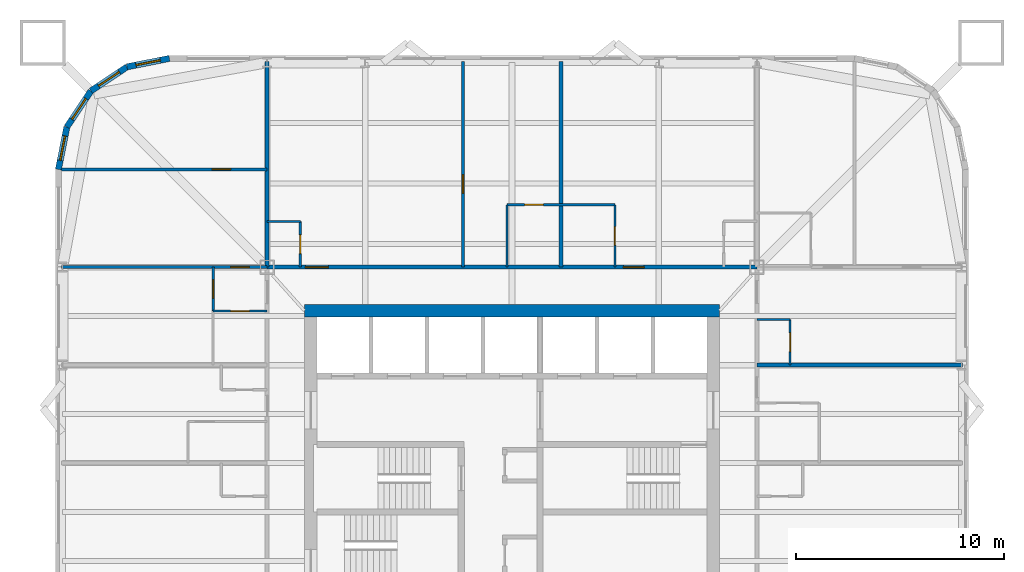
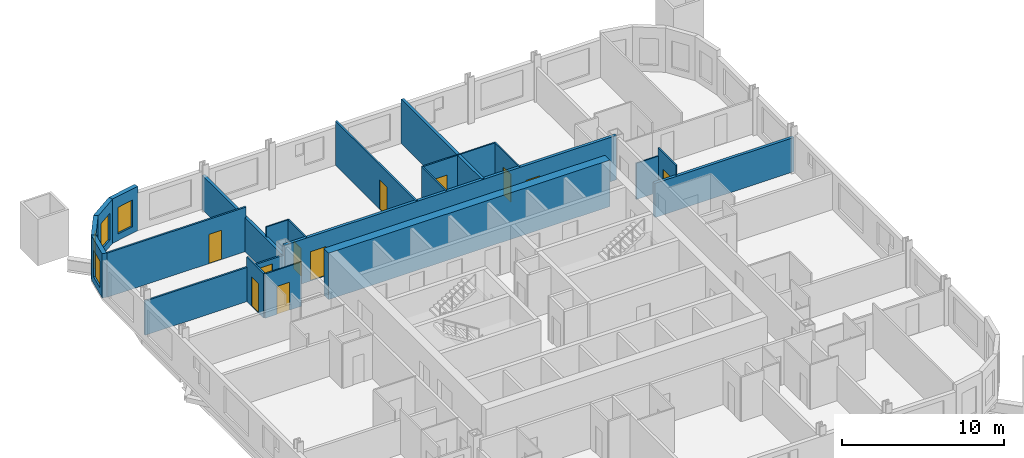
# One storey, part 7 of 10: 21 walls, 11 doors, 4 windows, 15 openings.
"""IFC4 building model written with IfcOpenShell, lengths in metres."""

import ifcopenshell
import ifcopenshell.guid

model = None  # the IFC model being written
_history = None  # IfcOwnerHistory: only IFC2X3 demands one
_inside = {}  # id of a spatial element -> (the spatial element, [elements in it])
_under = {}  # id of a project, library or spatial element -> (it, [spatial elements below it])
_declared = {}  # id of a project -> (the project, [libraries it declares])
_typed = {}  # id of a type object -> (the type object, [elements of that type])
_made_of = {}  # id of a material, layer set ... -> (it, [elements and type objects made of it])


def new_model(schema):
    """Start an empty IFC model of exactly this schema.

    Asked for "IFC4X3", IfcOpenShell would pick the latest addendum, in which some entities
    have other attributes; the version numbers below select the first issue.
    IFC2X3 requires an IfcOwnerHistory on every rooted entity: one is made here for all.
    """
    global model, _history
    if schema == "IFC4X3":
        model = ifcopenshell.file(schema_version=(4, 3, 0, 0))
    else:
        model = ifcopenshell.file(schema=schema)
    _inside.clear()
    _under.clear()
    _declared.clear()
    _typed.clear()
    _made_of.clear()
    _history = None
    if model.schema == "IFC2X3":
        org = make("IfcOrganization", Name="unknown")
        user = make(
            "IfcPersonAndOrganization",
            ThePerson=make("IfcPerson", FamilyName="unknown"),
            TheOrganization=org,
        )
        app = make(
            "IfcApplication",
            ApplicationDeveloper=org,
            Version="unknown",
            ApplicationFullName="unknown",
            ApplicationIdentifier="unknown",
        )
        _history = make(
            "IfcOwnerHistory",
            OwningUser=user,
            OwningApplication=app,
            ChangeAction="ADDED",
            CreationDate=0,
        )
    return model


def make(cls, **values):
    """One entity of the class cls with the attributes given. An attribute that is None is left unset."""
    return model.create_entity(
        cls, **{name: value for name, value in values.items() if value is not None}
    )


def rooted(cls, **values):
    """An entity with a GlobalId (a new one), such as an element, a storey or a relation."""
    return make(cls, GlobalId=ifcopenshell.guid.new(), OwnerHistory=_history, **values)


def si_unit(unit_type, name, prefix=None):
    """IfcSIUnit, for example si_unit("LENGTHUNIT", "METRE", prefix="MILLI")."""
    return make("IfcSIUnit", UnitType=unit_type, Prefix=prefix, Name=name)


def assignment(units):
    """IfcUnitAssignment: the units of a project."""
    return None if units is None else make("IfcUnitAssignment", Units=units)


def point(xyz):
    """IfcCartesianPoint."""
    return None if xyz is None else make("IfcCartesianPoint", Coordinates=xyz)


def direction(xyz):
    """IfcDirection."""
    return None if xyz is None else make("IfcDirection", DirectionRatios=xyz)


def frame(location, z_axis=None, x_axis=None):
    """IfcAxis2Placement3D, a coordinate frame: its origin and axes. An axis left out is left unset."""
    return make(
        "IfcAxis2Placement3D",
        Location=point(location),
        Axis=direction(z_axis),
        RefDirection=direction(x_axis),
    )


def frame_2d(location, x_axis=None):
    """IfcAxis2Placement2D, a coordinate frame in the plane: its origin and x axis."""
    return make(
        "IfcAxis2Placement2D", Location=point(location), RefDirection=direction(x_axis)
    )


def origin():
    """The frame at (0, 0, 0) with its axes left unset."""
    return frame((0.0, 0.0, 0.0))


def place(relative_to, where):
    """IfcLocalPlacement: puts the frame where relative to a parent placement (None: the world)."""
    return make(
        "IfcLocalPlacement", PlacementRelTo=relative_to, RelativePlacement=where
    )


def context(
    kind, dimensions, precision=None, world=None, true_north=None, identifier=None
):
    """IfcGeometricRepresentationContext, for example the 3D "Model" context."""
    return make(
        "IfcGeometricRepresentationContext",
        ContextIdentifier=identifier,
        ContextType=kind,
        CoordinateSpaceDimension=dimensions,
        Precision=precision,
        WorldCoordinateSystem=world,
        TrueNorth=true_north,
    )


def subcontext(parent, identifier, kind, view, scale=None):
    """IfcGeometricRepresentationSubContext, for example "Body" below "Model"."""
    return make(
        "IfcGeometricRepresentationSubContext",
        ContextIdentifier=identifier,
        ContextType=kind,
        ParentContext=parent,
        TargetScale=scale,
        TargetView=view,
    )


def project(units=None, contexts=None):
    """IfcProject with its units and contexts."""
    return rooted(
        "IfcProject",
        Name="project",
        RepresentationContexts=contexts,
        UnitsInContext=assignment(units),
    )


def spatial(cls, under=None, at=None, **own):
    """A site, building, storey or space (cls), placed at a placement, below another one or the project."""
    s = rooted(cls, ObjectPlacement=at, **own)
    if under is not None:
        _under.setdefault(under.id(), (under, []))[1].append(s)
    return s


def profile(cls, at=None, kind="AREA", **sizes):
    """A parametric profile (cls). Its sizes go by their IFC names, for example OverallWidth=200.0."""
    return make(cls, ProfileType=kind, Position=at, **sizes)


def rectangle(**sizes):
    """IfcRectangleProfileDef."""
    return profile("IfcRectangleProfileDef", **sizes)


def extrude(swept, where, along, depth):
    """IfcExtrudedAreaSolid: the profile swept, set in the frame where, extruded along a direction by depth."""
    return make(
        "IfcExtrudedAreaSolid",
        SweptArea=swept,
        Position=where,
        ExtrudedDirection=direction(along),
        Depth=depth,
    )


def shape(context_of_items, identifier, shape_type, items):
    """IfcShapeRepresentation: the items that make up one representation, for example the "Body"."""
    return make(
        "IfcShapeRepresentation",
        ContextOfItems=context_of_items,
        RepresentationIdentifier=identifier,
        RepresentationType=shape_type,
        Items=items,
    )


def material(Name=None, Category=None):
    """IfcMaterial."""
    return make("IfcMaterial", Name=Name, Category=Category)


def layer(
    of_material, thickness, ventilated=None, Name=None, Category=None, Priority=None
):
    """IfcMaterialLayer: one layer of a wall or slab, of a material (None: an air gap)."""
    return make(
        "IfcMaterialLayer",
        Material=of_material,
        LayerThickness=thickness,
        IsVentilated=ventilated,
        Name=Name,
        Category=Category,
        Priority=Priority,
    )


def layer_set(layers, Name=None):
    """IfcMaterialLayerSet."""
    return make("IfcMaterialLayerSet", MaterialLayers=layers, LayerSetName=Name)


def made_of(thing, what):
    """Note that an element or type object is made of a material, layer set ...; save() writes the relation."""
    if what is not None:
        _made_of.setdefault(what.id(), (what, []))[1].append(thing)
    return thing


def type_object(cls, material=None, **own):
    """A type object (cls), such as IfcWallType, which elements share."""
    return made_of(rooted(cls, **own), material)


def element(
    cls,
    number,
    at=None,
    inside=None,
    cuts=None,
    type_object=None,
    material=None,
    context=None,
    identifier="Body",
    shape_type=None,
    held_by="IfcProductDefinitionShape",
    body=None,
    shapes=None,
    **own,
):
    """One element of the class cls, such as IfcWall. Its Tag is "e" and its number.

    at: its placement. inside: the storey or other place that contains it. cuts: it is an
    opening in that element (IfcRelVoidsElement). A single representation is given by context,
    identifier, shape_type and body (its items); several are given by shapes. held_by: the class
    of the entity that holds the representations. save() writes the other relations.
    """
    e = rooted(cls, Tag="e%d" % number, ObjectPlacement=at, **own)
    if body is not None:
        shapes = [shape(context, identifier, shape_type, body)]
    if shapes is not None:
        e.Representation = make(held_by, Representations=shapes)
    if inside is not None:
        _inside.setdefault(inside.id(), (inside, []))[1].append(e)
    if cuts is not None:
        rooted(
            "IfcRelVoidsElement", RelatingBuildingElement=cuts, RelatedOpeningElement=e
        )
    if type_object is not None:
        _typed.setdefault(type_object.id(), (type_object, []))[1].append(e)
    return made_of(e, material)


def fill(opening, filler):
    """IfcRelFillsElement: the door or window that sits in an opening."""
    return rooted(
        "IfcRelFillsElement",
        RelatingOpeningElement=opening,
        RelatedBuildingElement=filler,
    )


def aggregate(whole, parts):
    """IfcRelAggregates: a whole, such as a stair, and the parts it consists of."""
    return rooted("IfcRelAggregates", RelatingObject=whole, RelatedObjects=parts)


def save(model, path):
    """Write the relations noted so far, then the file.

    IfcRelAggregates (storeys below a building ...), IfcRelContainedInSpatialStructure (elements
    in a storey), IfcRelDefinesByType, IfcRelAssociatesMaterial and IfcRelDeclares: one each for
    every whole, place, type object, material and project.
    """
    for whole, parts in _under.values():
        aggregate(whole, parts)
    for where, things in _inside.values():
        rooted(
            "IfcRelContainedInSpatialStructure",
            RelatedElements=things,
            RelatingStructure=where,
        )
    for kind, things in _typed.values():
        rooted("IfcRelDefinesByType", RelatedObjects=things, RelatingType=kind)
    for what, things in _made_of.values():
        rooted("IfcRelAssociatesMaterial", RelatedObjects=things, RelatingMaterial=what)
    for by, libraries in _declared.values():
        rooted("IfcRelDeclares", RelatingContext=by, RelatedDefinitions=libraries)
    model.write(path)


model = new_model("IFC4")

# Units and contexts
model_context = context("Model", 3, precision=1e-05, world=origin(), true_north=direction((0.0, 1.0)))
body_context = subcontext(model_context, "Body", "Model", "MODEL_VIEW")
ifc_project = project(units=[si_unit("LENGTHUNIT", "METRE"), si_unit("AREAUNIT", "SQUARE_METRE"), si_unit("VOLUMEUNIT", "CUBIC_METRE"), si_unit("PLANEANGLEUNIT", "RADIAN"), si_unit("MASSUNIT", "GRAM", prefix="KILO")], contexts=[model_context])

# Site, building, storey
site_placement = place(None, origin())
site = spatial("IfcSite", under=ifc_project, at=site_placement, CompositionType="ELEMENT")
building_placement = place(site_placement, origin())
building = spatial("IfcBuilding", under=site, at=building_placement, Name="Turquesa Mirador Hotel Tower", CompositionType="ELEMENT")
storey_placement = place(building_placement, frame((0.0, 0.0, 63.5)))
storey = spatial("IfcBuildingStorey", under=building, at=storey_placement, Name="L16", CompositionType="ELEMENT", Elevation=63.5)

# Wall
ifc_material_1 = material(Name="Gypsum board on steel studs", Category="steel")
ifc_layer_1 = layer(ifc_material_1, 0.10009765625)
ifc_layer_set_1 = layer_set([ifc_layer_1], Name="BATHROOM WALL 100")
wall_type_1 = type_object("IfcWallType", Name="BATHROOM WALL 100", PredefinedType="PARTITIONING", material=ifc_layer_set_1)
wall_1_placement = place(storey_placement, frame((43.199951171875, 59.0, 0.0), z_axis=(0.0, 0.0, 1.0), x_axis=(1.0, 0.0, 0.0)))
element("IfcWall", 1, at=wall_1_placement, inside=storey, type_object=wall_type_1, Name="Partition L16 025", PredefinedType="PARTITIONING", context=body_context, shape_type="SweptSolid", body=[
    extrude(rectangle(XDim=1.60009765625, YDim=0.10009765625, at=frame_2d((0.800048828125, 0.0))), origin(), (0.0, 0.0, 1.0), 3.330078125),
])

# Wall, opening, door
wall_2_placement = place(storey_placement, frame((54.760009765625, 59.800048828125, 0.0), z_axis=(0.0, 0.0, 1.0), x_axis=(1.0, 0.0, 0.0)))
wall_2 = element("IfcWall", 2, at=wall_2_placement, inside=storey, type_object=wall_type_1, Name="Partition L16 028", PredefinedType="PARTITIONING", context=body_context, shape_type="SweptSolid", body=[
    extrude(rectangle(XDim=5.199951171875, YDim=0.10009765625, at=frame_2d((2.60009765625, 0.0))), origin(), (0.0, 0.0, 1.0), 3.330078125),
])
opening_1_placement = place(wall_2_placement, frame((0.85009765625, 0.0, 0.0)))
opening_1 = element("IfcOpeningElement", 3, at=opening_1_placement, cuts=wall_2, Name="Opening D02", PredefinedType="OPENING", context=body_context, shape_type="SweptSolid", body=[
    extrude(rectangle(XDim=0.89990234375, YDim=2.10009765625, at=frame_2d((0.449951171875, 1.050048828125))), frame((0.0, 0.06005859375, 0.0), z_axis=(0.0, -1.0, 0.0), x_axis=(1.0, 0.0, 0.0)), (0.0, 0.0, 1.0), 0.1201171875),
])
ifc_material_2 = material(Name="Timber veneered door", Category="wood")
door_type_1 = type_object("IfcDoorType", Name="DOOR 900X2100 EN-SUITE", OperationType="SINGLE_SWING_RIGHT", PredefinedType="DOOR", material=ifc_material_2)
door_1_placement = place(opening_1_placement, origin())
door_1 = element("IfcDoor", 4, at=door_1_placement, inside=storey, type_object=door_type_1, Name="Door 1601B", OperationType="SINGLE_SWING_RIGHT", OverallHeight=2.10009765625, OverallWidth=0.89990234375, PredefinedType="DOOR", context=body_context, shape_type="SweptSolid", body=[
    extrude(rectangle(XDim=0.89990234375, YDim=2.10009765625, at=frame_2d((0.449951171875, 1.050048828125))), frame((0.0, 0.02490234375, 0.0), z_axis=(0.0, -1.0, 0.0), x_axis=(1.0, 0.0, 0.0)), (0.0, 0.0, 1.0), 0.050048828125),
])
fill(opening_1, door_1)

# Wall
wall_3_placement = place(storey_placement, frame((66.800048828125, 54.280029296875, 0.0), z_axis=(0.0, 0.0, 1.0), x_axis=(1.0, 0.0, 0.0)))
element("IfcWall", 5, at=wall_3_placement, inside=storey, type_object=wall_type_1, Name="Partition L16 037", PredefinedType="PARTITIONING", context=body_context, shape_type="SweptSolid", body=[
    extrude(rectangle(XDim=1.599853515625, YDim=0.10009765625, at=frame_2d((0.7998046875, 0.0))), origin(), (0.0, 0.0, 1.0), 2.722900390625),
])

# Wall, opening, door
wall_4_placement = place(storey_placement, frame((40.60009765625, 54.679931640625, 0.0), z_axis=(0.0, 0.0, 1.0), x_axis=(1.0, 0.0, 0.0)))
wall_4 = element("IfcWall", 6, at=wall_4_placement, inside=storey, type_object=wall_type_1, Name="Partition L16 038", PredefinedType="PARTITIONING", context=body_context, shape_type="SweptSolid", body=[
    extrude(rectangle(XDim=2.599853515625, YDim=0.10009765625, at=frame_2d((1.2998046875, 0.0))), origin(), (0.0, 0.0, 1.0), 3.330078125),
])
opening_2_placement = place(wall_4_placement, frame((0.85009765625, 0.0, 0.0)))
opening_2 = element("IfcOpeningElement", 7, at=opening_2_placement, cuts=wall_4, Name="Opening D02", PredefinedType="OPENING", context=body_context, shape_type="SweptSolid", body=[
    extrude(rectangle(XDim=0.89990234375, YDim=2.10009765625, at=frame_2d((0.449951171875, 1.050048828125))), frame((0.0, 0.06005859375, 0.0), z_axis=(0.0, -1.0, 0.0), x_axis=(1.0, 0.0, 0.0)), (0.0, 0.0, 1.0), 0.1201171875),
])
door_2_placement = place(opening_2_placement, origin())
door_2 = element("IfcDoor", 8, at=door_2_placement, inside=storey, type_object=door_type_1, Name="Door 1611B", OperationType="SINGLE_SWING_RIGHT", OverallHeight=2.10009765625, OverallWidth=0.89990234375, PredefinedType="DOOR", context=body_context, shape_type="SweptSolid", body=[
    extrude(rectangle(XDim=0.89990234375, YDim=2.10009765625, at=frame_2d((0.449951171875, 1.050048828125))), frame((0.0, 0.02490234375, 0.0), z_axis=(0.0, -1.0, 0.0), x_axis=(1.0, 0.0, 0.0)), (0.0, 0.0, 1.0), 0.050048828125),
])
fill(opening_2, door_2)

# Wall
wall_5_placement = place(storey_placement, frame((54.760009765625, 56.800048828125, 0.0), z_axis=(0.0, 0.0, 1.0), x_axis=(0.0, 1.0, 0.0)))
element("IfcWall", 9, at=wall_5_placement, inside=storey, type_object=wall_type_1, Name="Partition L16 039", PredefinedType="PARTITIONING", context=body_context, shape_type="SweptSolid", body=[
    extrude(rectangle(XDim=3.0, YDim=0.10009765625, at=frame_2d((1.5, 0.0))), origin(), (0.0, 0.0, 1.0), 3.330078125),
])

# Wall, opening, door
wall_6_placement = place(storey_placement, frame((44.800048828125, 56.800048828125, 0.0), z_axis=(0.0, 0.0, 1.0), x_axis=(0.0, 1.0, 0.0)))
wall_6 = element("IfcWall", 10, at=wall_6_placement, inside=storey, type_object=wall_type_1, Name="Partition L16 040", PredefinedType="PARTITIONING", context=body_context, shape_type="SweptSolid", body=[
    extrude(rectangle(XDim=2.199951171875, YDim=0.10009765625, at=frame_2d((1.10009765625, 0.0))), origin(), (0.0, 0.0, 1.0), 3.330078125),
])
opening_3_placement = place(wall_6_placement, frame((0.64990234375, 0.0, 0.0)))
opening_3 = element("IfcOpeningElement", 11, at=opening_3_placement, cuts=wall_6, Name="Opening D06", PredefinedType="OPENING", context=body_context, shape_type="SweptSolid", body=[
    extrude(rectangle(XDim=0.89990234375, YDim=2.10009765625, at=frame_2d((0.449951171875, 1.050048828125))), frame((0.0, 0.06005859375, 0.0), z_axis=(0.0, -1.0, 0.0), x_axis=(1.0, 0.0, 0.0)), (0.0, 0.0, 1.0), 0.1201171875),
])
ifc_material_3 = material(Name="Laminate door", Category="wood")
door_type_2 = type_object("IfcDoorType", Name="DOOR 900X2100 WC", OperationType="SINGLE_SWING_LEFT", PredefinedType="DOOR", material=ifc_material_3)
door_3_placement = place(opening_3_placement, origin())
door_3 = element("IfcDoor", 12, at=door_3_placement, inside=storey, type_object=door_type_2, Name="Door 1601W", OperationType="SINGLE_SWING_LEFT", OverallHeight=2.10009765625, OverallWidth=0.89990234375, PredefinedType="DOOR", context=body_context, shape_type="SweptSolid", body=[
    extrude(rectangle(XDim=0.89990234375, YDim=2.10009765625, at=frame_2d((0.449951171875, 1.050048828125))), frame((0.0, 0.02490234375, 0.0), z_axis=(0.0, -1.0, 0.0), x_axis=(1.0, 0.0, 0.0)), (0.0, 0.0, 1.0), 0.050048828125),
])
fill(opening_3, door_3)

wall_7_placement = place(storey_placement, frame((68.39990234375, 52.080078125, 0.0), z_axis=(0.0, 0.0, 1.0), x_axis=(0.0, 1.0, 0.0)))
wall_7 = element("IfcWall", 13, at=wall_7_placement, inside=storey, type_object=wall_type_1, Name="Partition L16 062", PredefinedType="PARTITIONING", context=body_context, shape_type="SweptSolid", body=[
    extrude(rectangle(XDim=2.199951171875, YDim=0.10009765625, at=frame_2d((1.10009765625, 0.0))), origin(), (0.0, 0.0, 1.0), 3.330078125),
])
opening_4_placement = place(wall_7_placement, frame((0.64990234375, 0.0, 0.0)))
opening_4 = element("IfcOpeningElement", 14, at=opening_4_placement, cuts=wall_7, Name="Opening D06", PredefinedType="OPENING", context=body_context, shape_type="SweptSolid", body=[
    extrude(rectangle(XDim=0.89990234375, YDim=2.10009765625, at=frame_2d((0.449951171875, 1.050048828125))), frame((0.0, 0.06005859375, 0.0), z_axis=(0.0, -1.0, 0.0), x_axis=(1.0, 0.0, 0.0)), (0.0, 0.0, 1.0), 0.1201171875),
])
door_4_placement = place(opening_4_placement, origin())
door_4 = element("IfcDoor", 15, at=door_4_placement, inside=storey, type_object=door_type_2, Name="Door 1610W", OperationType="SINGLE_SWING_LEFT", OverallHeight=2.10009765625, OverallWidth=0.89990234375, PredefinedType="DOOR", context=body_context, shape_type="SweptSolid", body=[
    extrude(rectangle(XDim=0.89990234375, YDim=2.10009765625, at=frame_2d((0.449951171875, 1.050048828125))), frame((0.0, 0.02490234375, 0.0), z_axis=(0.0, -1.0, 0.0), x_axis=(1.0, 0.0, 0.0)), (0.0, 0.0, 1.0), 0.050048828125),
])
fill(opening_4, door_4)

wall_8_placement = place(storey_placement, frame((59.9599609375, 56.800048828125, 0.0), z_axis=(0.0, 0.0, 1.0), x_axis=(0.0, 1.0, 0.0)))
wall_8 = element("IfcWall", 16, at=wall_8_placement, inside=storey, type_object=wall_type_1, Name="Partition L16 071", PredefinedType="PARTITIONING", context=body_context, shape_type="SweptSolid", body=[
    extrude(rectangle(XDim=3.0, YDim=0.10009765625, at=frame_2d((1.5, 0.0))), origin(), (0.0, 0.0, 1.0), 3.330078125),
])
opening_5_placement = place(wall_8_placement, frame((1.050048828125, 0.0, 0.0)))
opening_5 = element("IfcOpeningElement", 17, at=opening_5_placement, cuts=wall_8, Name="Opening D02", PredefinedType="OPENING", context=body_context, shape_type="SweptSolid", body=[
    extrude(rectangle(XDim=0.89990234375, YDim=2.10009765625, at=frame_2d((0.449951171875, 1.050048828125))), frame((0.0, 0.06005859375, 0.0), z_axis=(0.0, -1.0, 0.0), x_axis=(1.0, 0.0, 0.0)), (0.0, 0.0, 1.0), 0.1201171875),
])
door_5_placement = place(opening_5_placement, origin())
door_5 = element("IfcDoor", 18, at=door_5_placement, inside=storey, type_object=door_type_1, Name="Door 1602B", OperationType="SINGLE_SWING_RIGHT", OverallHeight=2.10009765625, OverallWidth=0.89990234375, PredefinedType="DOOR", context=body_context, shape_type="SweptSolid", body=[
    extrude(rectangle(XDim=0.89990234375, YDim=2.10009765625, at=frame_2d((0.449951171875, 1.050048828125))), frame((0.0, 0.02490234375, 0.0), z_axis=(0.0, -1.0, 0.0), x_axis=(1.0, 0.0, 0.0)), (0.0, 0.0, 1.0), 0.050048828125),
])
fill(opening_5, door_5)

# Wall
ifc_material_4 = material(Name="Concrete C50/60", Category="concrete")
ifc_layer_2 = layer(ifc_material_4, 0.60009765625)
ifc_layer_set_2 = layer_set([ifc_layer_2], Name="CORE WALL 600")
wall_type_2 = type_object("IfcWallType", Name="CORE WALL 600", PredefinedType="SHEAR", material=ifc_layer_set_2)
wall_9_placement = place(storey_placement, frame((45.0, 54.699951171875, 0.0), z_axis=(0.0, 0.0, 1.0), x_axis=(1.0, 0.0, 0.0)))
element("IfcWall", 19, at=wall_9_placement, inside=storey, type_object=wall_type_2, Name="Core wall N", PredefinedType="SHEAR", context=body_context, shape_type="SweptSolid", body=[
    extrude(rectangle(XDim=20.0, YDim=0.60009765625, at=frame_2d((10.0, 0.0))), origin(), (0.0, 0.0, 1.0), 3.5),
])

# Wall, openings, doors
ifc_material_5 = material(Name="Fire-rated gypsum board on steel studs", Category="steel")
ifc_layer_3 = layer(ifc_material_5, 0.199951171875)
ifc_layer_set_3 = layer_set([ifc_layer_3], Name="CORRIDOR WALL 200")
wall_type_3 = type_object("IfcWallType", Name="CORRIDOR WALL 200", PredefinedType="PARTITIONING", material=ifc_layer_set_3)
wall_10_placement = place(storey_placement, frame((43.199951171875, 56.800048828125, 0.0), z_axis=(0.0, 0.0, 1.0), x_axis=(1.0, 0.0, 0.0)))
wall_10 = element("IfcWall", 20, at=wall_10_placement, inside=storey, type_object=wall_type_3, Name="Partition L16 022", PredefinedType="PARTITIONING", context=body_context, shape_type="SweptSolid", body=[
    extrude(rectangle(XDim=23.60009765625, YDim=0.199951171875, at=frame_2d((11.800048828125, 0.0))), origin(), (0.0, 0.0, 1.0), 3.330078125),
])
opening_6_placement = place(wall_10_placement, frame((1.85009765625, 0.0, 0.0)))
opening_6 = element("IfcOpeningElement", 21, at=opening_6_placement, cuts=wall_10, Name="Opening D15", PredefinedType="OPENING", context=body_context, shape_type="SweptSolid", body=[
    extrude(rectangle(XDim=1.10009765625, YDim=2.199951171875, at=frame_2d((0.550048828125, 1.10009765625))), frame((0.0, 0.10986328125, 0.0), z_axis=(0.0, -1.0, 0.0), x_axis=(1.0, 0.0, 0.0)), (0.0, 0.0, 1.0), 0.219970703125),
])
opening_7_placement = place(wall_10_placement, frame((17.159912109375, 0.0, 0.0)))
opening_7 = element("IfcOpeningElement", 22, at=opening_7_placement, cuts=wall_10, Name="Opening D01", PredefinedType="OPENING", context=body_context, shape_type="SweptSolid", body=[
    extrude(rectangle(XDim=1.0, YDim=2.199951171875, at=frame_2d((0.5, 1.10009765625))), frame((0.0, 0.10986328125, 0.0), z_axis=(0.0, -1.0, 0.0), x_axis=(1.0, 0.0, 0.0)), (0.0, 0.0, 1.0), 0.219970703125),
])
ifc_material_6 = material(Name="Timber veneered fire door", Category="wood")
door_type_3 = type_object("IfcDoorType", Name="DOOR 1000X2200 GUEST ENTRY", OperationType="SINGLE_SWING_LEFT", PredefinedType="DOOR", material=ifc_material_6)
door_6_placement = place(opening_7_placement, origin())
door_6 = element("IfcDoor", 23, at=door_6_placement, inside=storey, type_object=door_type_3, Name="Door 1602", OperationType="SINGLE_SWING_LEFT", OverallHeight=2.199951171875, OverallWidth=1.0, PredefinedType="DOOR", context=body_context, shape_type="SweptSolid", body=[
    extrude(rectangle(XDim=1.0, YDim=2.199951171875, at=frame_2d((0.5, 1.10009765625))), frame((0.0, 0.02490234375, 0.0), z_axis=(0.0, -1.0, 0.0), x_axis=(1.0, 0.0, 0.0)), (0.0, 0.0, 1.0), 0.050048828125),
])
fill(opening_7, door_6)
ifc_material_7 = material(Name="Timber veneered fire door", Category="wood")
door_type_4 = type_object("IfcDoorType", Name="DOOR 1100X2200 SUITE ENTRY", OperationType="SINGLE_SWING_LEFT", PredefinedType="DOOR", material=ifc_material_7)
door_7_placement = place(opening_6_placement, origin())
door_7 = element("IfcDoor", 24, at=door_7_placement, inside=storey, type_object=door_type_4, Name="Door 1601", OperationType="SINGLE_SWING_LEFT", OverallHeight=2.199951171875, OverallWidth=1.10009765625, PredefinedType="DOOR", context=body_context, shape_type="SweptSolid", body=[
    extrude(rectangle(XDim=1.10009765625, YDim=2.199951171875, at=frame_2d((0.550048828125, 1.10009765625))), frame((0.0, 0.02490234375, 0.0), z_axis=(0.0, -1.0, 0.0), x_axis=(1.0, 0.0, 0.0)), (0.0, 0.0, 1.0), 0.050048828125),
])
fill(opening_6, door_7)

# Wall, opening, window
ifc_material_8 = material(Name="Limestone cladding on concrete block", Category="masonry")
ifc_layer_4 = layer(ifc_material_8, 0.300048828125)
ifc_layer_set_4 = layer_set([ifc_layer_4], Name="FACADE WALL 300 STONE SCREEN")
wall_type_4 = type_object("IfcWallType", Name="FACADE WALL 300 STONE SCREEN", PredefinedType="SOLIDWALL", material=ifc_layer_set_4)
wall_11_placement = place(storey_placement, frame((38.5, 66.85009765625, 0.0), z_axis=(0.0, 0.0, 1.0), x_axis=(-0.980787050784, -0.195081421501, 0.0)))
wall_11 = element("IfcWall", 25, at=wall_11_placement, inside=storey, type_object=wall_type_4, Name="Facade wall L16 10", PredefinedType="SOLIDWALL", context=body_context, shape_type="SweptSolid", body=[
    extrude(rectangle(XDim=2.08740234375, YDim=0.300048828125, at=frame_2d((1.043701171875, 0.0))), origin(), (0.0, 0.0, 1.0), 3.330078125),
])
opening_8_placement = place(wall_11_placement, frame((0.443603515625, 0.0, 0.5)))
opening_8 = element("IfcOpeningElement", 26, at=opening_8_placement, cuts=wall_11, Name="Opening WN4", PredefinedType="OPENING", context=body_context, shape_type="SweptSolid", body=[
    extrude(rectangle(XDim=1.199951171875, YDim=2.0, at=frame_2d((0.60009765625, 1.0))), frame((0.0, 0.159912109375, 0.0), z_axis=(0.0, -1.0, 0.0), x_axis=(1.0, 0.0, 0.0)), (0.0, 0.0, 1.0), 0.320068359375),
])
ifc_material_9 = material(Name="Ceramic-fritted laminated glass", Category="glass")
window_type = type_object("IfcWindowType", Name="FRITTED CORNER WINDOW 1200X2000", PartitioningType="DOUBLE_PANEL_HORIZONTAL", PredefinedType="WINDOW", material=ifc_material_9)
window_1_placement = place(opening_8_placement, origin())
window_1 = element("IfcWindow", 27, at=window_1_placement, inside=storey, type_object=window_type, Name="Window L16", OverallHeight=2.0, OverallWidth=1.199951171875, PartitioningType="SINGLE_PANEL", PredefinedType="WINDOW", context=body_context, shape_type="SweptSolid", body=[
    extrude(rectangle(XDim=1.199951171875, YDim=2.0, at=frame_2d((0.60009765625, 1.0))), frame((0.0, 0.030029296875, 0.0), z_axis=(0.0, -1.0, 0.0), x_axis=(1.0, 0.0, 0.0)), (0.0, 0.0, 1.0), 0.06005859375),
])
fill(opening_8, window_1)

wall_12_placement = place(storey_placement, frame((36.45263671875, 66.44287109375, 0.0), z_axis=(0.0, 0.0, 1.0), x_axis=(-0.831420010345, -0.555644460423, 0.0)))
wall_12 = element("IfcWall", 28, at=wall_12_placement, inside=storey, type_object=wall_type_4, Name="Facade wall L16 11", PredefinedType="SOLIDWALL", context=body_context, shape_type="SweptSolid", body=[
    extrude(rectangle(XDim=2.08740234375, YDim=0.300048828125, at=frame_2d((1.043701171875, 0.0))), origin(), (0.0, 0.0, 1.0), 3.330078125),
])
opening_9_placement = place(wall_12_placement, frame((0.443603515625, 0.0, 0.5)))
opening_9 = element("IfcOpeningElement", 29, at=opening_9_placement, cuts=wall_12, Name="Opening WN4", PredefinedType="OPENING", context=body_context, shape_type="SweptSolid", body=[
    extrude(rectangle(XDim=1.199951171875, YDim=2.0, at=frame_2d((0.60009765625, 1.0))), frame((0.0, 0.159912109375, 0.0), z_axis=(0.0, -1.0, 0.0), x_axis=(1.0, 0.0, 0.0)), (0.0, 0.0, 1.0), 0.320068359375),
])
window_2_placement = place(opening_9_placement, origin())
window_2 = element("IfcWindow", 30, at=window_2_placement, inside=storey, type_object=window_type, Name="Window L16", OverallHeight=2.0, OverallWidth=1.199951171875, PartitioningType="SINGLE_PANEL", PredefinedType="WINDOW", context=body_context, shape_type="SweptSolid", body=[
    extrude(rectangle(XDim=1.199951171875, YDim=2.0, at=frame_2d((0.60009765625, 1.0))), frame((0.0, 0.030029296875, 0.0), z_axis=(0.0, -1.0, 0.0), x_axis=(1.0, 0.0, 0.0)), (0.0, 0.0, 1.0), 0.06005859375),
])
fill(opening_9, window_2)

wall_13_placement = place(storey_placement, frame((34.717041015625, 65.282958984375, 0.0), z_axis=(0.0, 0.0, 1.0), x_axis=(-0.555644460423, -0.831420010345, 0.0)))
wall_13 = element("IfcWall", 31, at=wall_13_placement, inside=storey, type_object=wall_type_4, Name="Facade wall L16 12", PredefinedType="SOLIDWALL", context=body_context, shape_type="SweptSolid", body=[
    extrude(rectangle(XDim=2.08740234375, YDim=0.300048828125, at=frame_2d((1.043701171875, 0.0))), origin(), (0.0, 0.0, 1.0), 3.330078125),
])
opening_10_placement = place(wall_13_placement, frame((0.443603515625, 0.0, 0.5)))
opening_10 = element("IfcOpeningElement", 32, at=opening_10_placement, cuts=wall_13, Name="Opening WN4", PredefinedType="OPENING", context=body_context, shape_type="SweptSolid", body=[
    extrude(rectangle(XDim=1.199951171875, YDim=2.0, at=frame_2d((0.60009765625, 1.0))), frame((0.0, 0.159912109375, 0.0), z_axis=(0.0, -1.0, 0.0), x_axis=(1.0, 0.0, 0.0)), (0.0, 0.0, 1.0), 0.320068359375),
])
window_3_placement = place(opening_10_placement, origin())
window_3 = element("IfcWindow", 33, at=window_3_placement, inside=storey, type_object=window_type, Name="Window L16", OverallHeight=2.0, OverallWidth=1.199951171875, PartitioningType="SINGLE_PANEL", PredefinedType="WINDOW", context=body_context, shape_type="SweptSolid", body=[
    extrude(rectangle(XDim=1.199951171875, YDim=2.0, at=frame_2d((0.60009765625, 1.0))), frame((0.0, 0.030029296875, 0.0), z_axis=(0.0, -1.0, 0.0), x_axis=(1.0, 0.0, 0.0)), (0.0, 0.0, 1.0), 0.06005859375),
])
fill(opening_10, window_3)

wall_14_placement = place(storey_placement, frame((33.55712890625, 63.54736328125, 0.0), z_axis=(0.0, 0.0, 1.0), x_axis=(-0.195081421501, -0.980787050784, 0.0)))
wall_14 = element("IfcWall", 34, at=wall_14_placement, inside=storey, type_object=wall_type_4, Name="Facade wall L16 13", PredefinedType="SOLIDWALL", context=body_context, shape_type="SweptSolid", body=[
    extrude(rectangle(XDim=2.08740234375, YDim=0.300048828125, at=frame_2d((1.043701171875, 0.0))), origin(), (0.0, 0.0, 1.0), 3.330078125),
])
opening_11_placement = place(wall_14_placement, frame((0.443603515625, 0.0, 0.5)))
opening_11 = element("IfcOpeningElement", 35, at=opening_11_placement, cuts=wall_14, Name="Opening WN4", PredefinedType="OPENING", context=body_context, shape_type="SweptSolid", body=[
    extrude(rectangle(XDim=1.199951171875, YDim=2.0, at=frame_2d((0.60009765625, 1.0))), frame((0.0, 0.159912109375, 0.0), z_axis=(0.0, -1.0, 0.0), x_axis=(1.0, 0.0, 0.0)), (0.0, 0.0, 1.0), 0.320068359375),
])
window_4_placement = place(opening_11_placement, origin())
window_4 = element("IfcWindow", 36, at=window_4_placement, inside=storey, type_object=window_type, Name="Window L16", OverallHeight=2.0, OverallWidth=1.199951171875, PartitioningType="SINGLE_PANEL", PredefinedType="WINDOW", context=body_context, shape_type="SweptSolid", body=[
    extrude(rectangle(XDim=1.199951171875, YDim=2.0, at=frame_2d((0.60009765625, 1.0))), frame((0.0, 0.030029296875, 0.0), z_axis=(0.0, -1.0, 0.0), x_axis=(1.0, 0.0, 0.0)), (0.0, 0.0, 1.0), 0.06005859375),
])
fill(opening_11, window_4)

# Walls
ifc_material_10 = material(Name="Fire-rated gypsum board on steel studs", Category="steel")
ifc_layer_5 = layer(ifc_material_10, 0.199951171875)
ifc_layer_set_5 = layer_set([ifc_layer_5], Name="PARTY WALL 200")
wall_type_5 = type_object("IfcWallType", Name="PARTY WALL 200", PredefinedType="PARTITIONING", material=ifc_layer_set_5)
for number, where, z_axis, x_axis, name in (
    (37, (66.800048828125, 52.080078125, 0.0), (0.0, 0.0, 1.0), (1.0, 0.0, 0.0), "Partition L16 036"),
    (38, (43.199951171875, 56.800048828125, 0.0), (0.0, 0.0, 1.0), (0.0, 1.0, 0.0), "Partition L16 043"),
):
    element("IfcWall", number, at=place(storey_placement, frame(where, z_axis=z_axis, x_axis=x_axis)), inside=storey, type_object=wall_type_5, Name=name, PredefinedType="PARTITIONING", context=body_context, shape_type="SweptSolid", body=[
        extrude(rectangle(XDim=9.89990234375, YDim=0.199951171875, at=frame_2d((4.949951171875, 0.0))), origin(), (0.0, 0.0, 1.0), 2.572998046875),
    ])
wall_15_placement = place(storey_placement, frame((57.360107421875, 56.800048828125, 0.0), z_axis=(0.0, 0.0, 1.0), x_axis=(0.0, 1.0, 0.0)))
element("IfcWall", 39, at=wall_15_placement, inside=storey, type_object=wall_type_5, Name="Partition L16 070", PredefinedType="PARTITIONING", context=body_context, shape_type="SweptSolid", body=[
    extrude(rectangle(XDim=9.89990234375, YDim=0.199951171875, at=frame_2d((4.949951171875, 0.0))), origin(), (0.0, 0.0, 1.0), 3.330078125),
])

# Wall, opening, door
ifc_material_11 = material(Name="Acoustic gypsum board on steel studs", Category="steel")
ifc_layer_6 = layer(ifc_material_11, 0.125)
ifc_layer_set_6 = layer_set([ifc_layer_6], Name="SUITE PARTITION 125")
wall_type_6 = type_object("IfcWallType", Name="SUITE PARTITION 125", PredefinedType="PARTITIONING", material=ifc_layer_set_6)
wall_16_placement = place(storey_placement, frame((33.300048828125, 56.800048828125, 0.0), z_axis=(0.0, 0.0, 1.0), x_axis=(1.0, 0.0, 0.0)))
wall_16 = element("IfcWall", 40, at=wall_16_placement, inside=storey, type_object=wall_type_6, Name="Partition L16 023", PredefinedType="PARTITIONING", context=body_context, shape_type="SweptSolid", body=[
    extrude(rectangle(XDim=9.89990234375, YDim=0.125, at=frame_2d((4.949951171875, 0.0))), origin(), (0.0, 0.0, 1.0), 2.572998046875),
])
opening_12_placement = place(wall_16_placement, frame((8.14990234375, 0.0, 0.0)))
opening_12 = element("IfcOpeningElement", 41, at=opening_12_placement, cuts=wall_16, Name="Opening D17", PredefinedType="OPENING", context=body_context, shape_type="SweptSolid", body=[
    extrude(rectangle(XDim=0.89990234375, YDim=2.199951171875, at=frame_2d((0.449951171875, 1.10009765625))), frame((0.0, 0.072509765625, 0.0), z_axis=(0.0, -1.0, 0.0), x_axis=(1.0, 0.0, 0.0)), (0.0, 0.0, 1.0), 0.14501953125),
])
ifc_material_12 = material(Name="Timber veneered door", Category="wood")
door_type_5 = type_object("IfcDoorType", Name="DOOR 900X2200 SUITE INTERNAL", OperationType="SINGLE_SWING_LEFT", PredefinedType="DOOR", material=ifc_material_12)
door_8_placement = place(opening_12_placement, origin())
door_8 = element("IfcDoor", 42, at=door_8_placement, inside=storey, type_object=door_type_5, Name="Door 1611", OperationType="SINGLE_SWING_LEFT", OverallHeight=2.199951171875, OverallWidth=0.89990234375, PredefinedType="DOOR", context=body_context, shape_type="SweptSolid", body=[
    extrude(rectangle(XDim=0.89990234375, YDim=2.199951171875, at=frame_2d((0.449951171875, 1.10009765625))), frame((0.0, 0.02490234375, 0.0), z_axis=(0.0, -1.0, 0.0), x_axis=(1.0, 0.0, 0.0)), (0.0, 0.0, 1.0), 0.050048828125),
])
fill(opening_12, door_8)

wall_17_placement = place(storey_placement, frame((33.305908203125, 61.5, 0.0), z_axis=(0.0, 0.0, 1.0), x_axis=(1.0, 0.0, 0.0)))
wall_17 = element("IfcWall", 43, at=wall_17_placement, inside=storey, type_object=wall_type_6, Name="Partition L16 029", PredefinedType="PARTITIONING", context=body_context, shape_type="SweptSolid", body=[
    extrude(rectangle(XDim=9.89404296875, YDim=0.125, at=frame_2d((4.947021484375, 0.0))), origin(), (0.0, 0.0, 1.0), 3.330078125),
])
opening_13_placement = place(wall_17_placement, frame((7.244140625, 0.0, 0.0)))
opening_13 = element("IfcOpeningElement", 44, at=opening_13_placement, cuts=wall_17, Name="Opening D17", PredefinedType="OPENING", context=body_context, shape_type="SweptSolid", body=[
    extrude(rectangle(XDim=0.89990234375, YDim=2.199951171875, at=frame_2d((0.449951171875, 1.10009765625))), frame((0.0, 0.072509765625, 0.0), z_axis=(0.0, -1.0, 0.0), x_axis=(1.0, 0.0, 0.0)), (0.0, 0.0, 1.0), 0.14501953125),
])
door_9_placement = place(opening_13_placement, origin())
door_9 = element("IfcDoor", 45, at=door_9_placement, inside=storey, type_object=door_type_5, Name="Door 1611M", OperationType="SINGLE_SWING_LEFT", OverallHeight=2.199951171875, OverallWidth=0.89990234375, PredefinedType="DOOR", context=body_context, shape_type="SweptSolid", body=[
    extrude(rectangle(XDim=0.89990234375, YDim=2.199951171875, at=frame_2d((0.449951171875, 1.10009765625))), frame((0.0, 0.02490234375, 0.0), z_axis=(0.0, -1.0, 0.0), x_axis=(1.0, 0.0, 0.0)), (0.0, 0.0, 1.0), 0.050048828125),
])
fill(opening_13, door_9)

wall_18_placement = place(storey_placement, frame((40.60009765625, 54.679931640625, 0.0), z_axis=(0.0, 0.0, 1.0), x_axis=(0.0, 1.0, 0.0)))
wall_18 = element("IfcWall", 46, at=wall_18_placement, inside=storey, type_object=wall_type_6, Name="Partition L16 049", PredefinedType="PARTITIONING", context=body_context, shape_type="SweptSolid", body=[
    extrude(rectangle(XDim=2.1201171875, YDim=0.125, at=frame_2d((1.06005859375, 0.0))), origin(), (0.0, 0.0, 1.0), 3.330078125),
])
opening_14_placement = place(wall_18_placement, frame((0.610107421875, 0.0, 0.0)))
opening_14 = element("IfcOpeningElement", 47, at=opening_14_placement, cuts=wall_18, Name="Opening D17", PredefinedType="OPENING", context=body_context, shape_type="SweptSolid", body=[
    extrude(rectangle(XDim=0.89990234375, YDim=2.199951171875, at=frame_2d((0.449951171875, 1.10009765625))), frame((0.0, 0.072509765625, 0.0), z_axis=(0.0, -1.0, 0.0), x_axis=(1.0, 0.0, 0.0)), (0.0, 0.0, 1.0), 0.14501953125),
])
door_10_placement = place(opening_14_placement, origin())
door_10 = element("IfcDoor", 48, at=door_10_placement, inside=storey, type_object=door_type_5, Name="Door 1611R", OperationType="SINGLE_SWING_LEFT", OverallHeight=2.199951171875, OverallWidth=0.89990234375, PredefinedType="DOOR", context=body_context, shape_type="SweptSolid", body=[
    extrude(rectangle(XDim=0.89990234375, YDim=2.199951171875, at=frame_2d((0.449951171875, 1.10009765625))), frame((0.0, 0.02490234375, 0.0), z_axis=(0.0, -1.0, 0.0), x_axis=(1.0, 0.0, 0.0)), (0.0, 0.0, 1.0), 0.050048828125),
])
fill(opening_14, door_10)

wall_19_placement = place(storey_placement, frame((52.639892578125, 56.800048828125, 0.0), z_axis=(0.0, 0.0, 1.0), x_axis=(0.0, 1.0, 0.0)))
wall_19 = element("IfcWall", 49, at=wall_19_placement, inside=storey, type_object=wall_type_6, Name="Partition L16 053", PredefinedType="PARTITIONING", context=body_context, shape_type="SweptSolid", body=[
    extrude(rectangle(XDim=9.89990234375, YDim=0.125, at=frame_2d((4.949951171875, 0.0))), origin(), (0.0, 0.0, 1.0), 3.330078125),
])
opening_15_placement = place(wall_19_placement, frame((3.550048828125, 0.0, 0.0)))
opening_15 = element("IfcOpeningElement", 50, at=opening_15_placement, cuts=wall_19, Name="Opening D17", PredefinedType="OPENING", context=body_context, shape_type="SweptSolid", body=[
    extrude(rectangle(XDim=0.89990234375, YDim=2.199951171875, at=frame_2d((0.449951171875, 1.10009765625))), frame((0.0, 0.072509765625, 0.0), z_axis=(0.0, -1.0, 0.0), x_axis=(1.0, 0.0, 0.0)), (0.0, 0.0, 1.0), 0.14501953125),
])
door_11_placement = place(opening_15_placement, origin())
door_11 = element("IfcDoor", 51, at=door_11_placement, inside=storey, type_object=door_type_5, Name="Door 1601R", OperationType="SINGLE_SWING_LEFT", OverallHeight=2.199951171875, OverallWidth=0.89990234375, PredefinedType="DOOR", context=body_context, shape_type="SweptSolid", body=[
    extrude(rectangle(XDim=0.89990234375, YDim=2.199951171875, at=frame_2d((0.449951171875, 1.10009765625))), frame((0.0, 0.02490234375, 0.0), z_axis=(0.0, -1.0, 0.0), x_axis=(1.0, 0.0, 0.0)), (0.0, 0.0, 1.0), 0.050048828125),
])
fill(opening_15, door_11)

save(model, "model.ifc")
